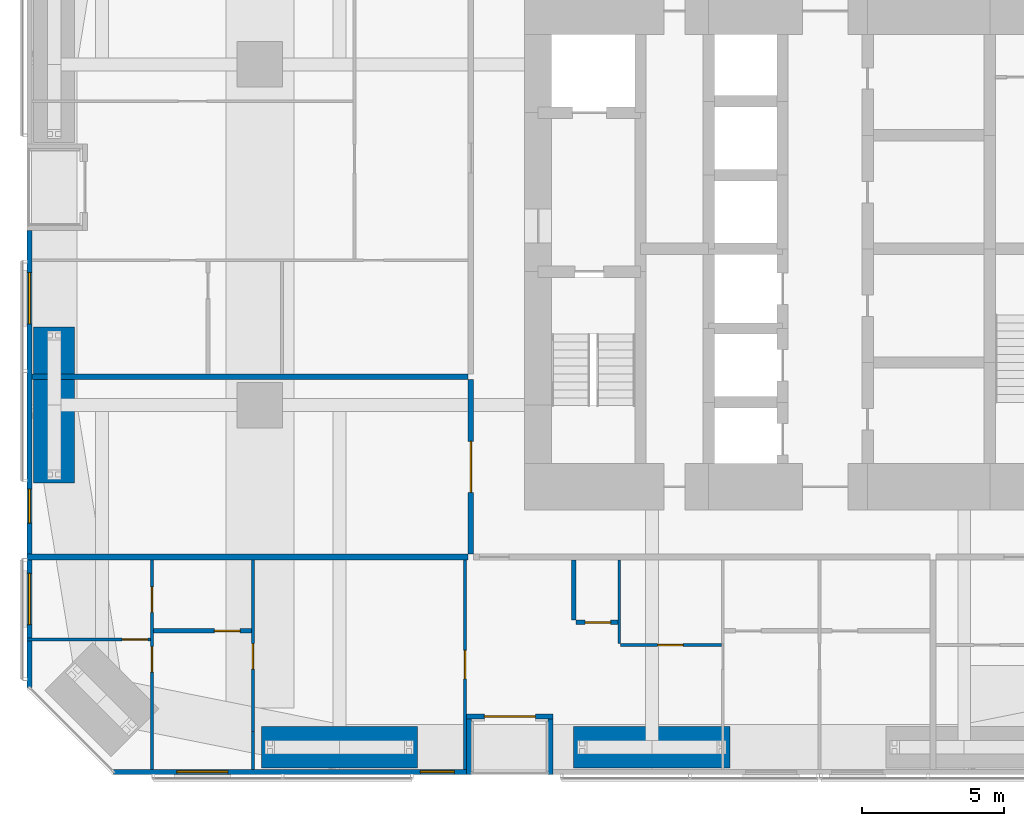
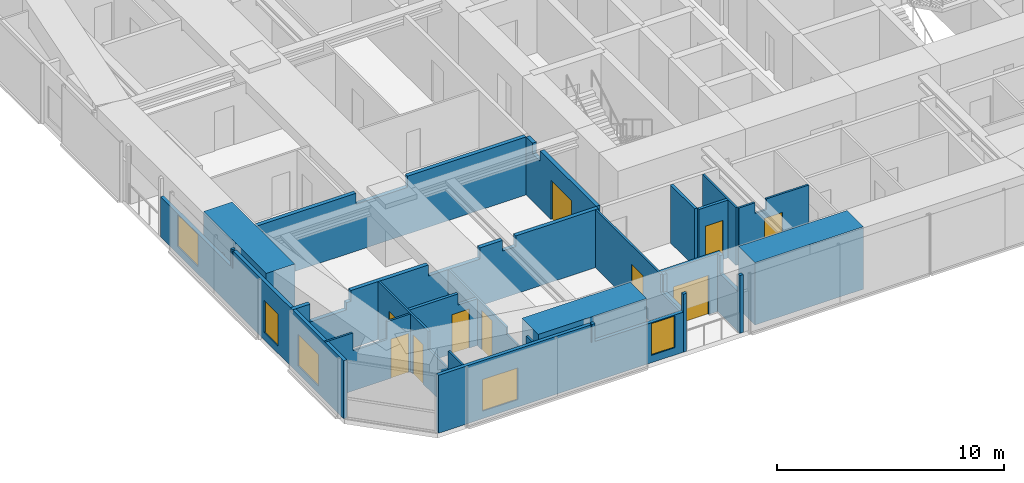
# One storey, part 15 of 22: 21 walls, 10 doors, 5 windows, 15 openings.
"""IFC4 building model written with IfcOpenShell, lengths in metres."""

from ifc_helpers import new_model, si_unit, direction, frame, frame_2d, origin, place, context, subcontext, project, spatial, polyline, rectangle, outline, extrude, material, layer, layer_set, constituent, constituent_set, type_object, element, fill, save


model = new_model("IFC4")

# Units and contexts
model_context = context("Model", 3, precision=1e-05, world=origin(), true_north=direction((0.0, 1.0)))
body_context = subcontext(model_context, "Body", "Model", "MODEL_VIEW")
ifc_project = project(units=[si_unit("LENGTHUNIT", "METRE"), si_unit("AREAUNIT", "SQUARE_METRE"), si_unit("VOLUMEUNIT", "CUBIC_METRE"), si_unit("PLANEANGLEUNIT", "RADIAN"), si_unit("MASSUNIT", "GRAM", prefix="KILO")], contexts=[model_context])

# Site, building, storey
site_placement = place(None, origin())
site = spatial("IfcSite", under=ifc_project, at=site_placement, CompositionType="ELEMENT")
building_placement = place(site_placement, origin())
building = spatial("IfcBuilding", under=site, at=building_placement, Name="Jalousie Tower", CompositionType="ELEMENT")
storey_placement = place(building_placement, frame((0.0, 0.0, 64.550048828125)))
storey = spatial("IfcBuildingStorey", under=building, at=storey_placement, Name="L17", CompositionType="ELEMENT", Elevation=64.550048828125)

# Wall, opening, door
ifc_material_1 = material(Name="Concrete block ASTM C90", Category="concrete")
ifc_constituent_1 = constituent(ifc_material_1, Name="Body")
ifc_material_2 = material(Name="Render")
ifc_constituent_2 = constituent(ifc_material_2, Name="Finish")
ifc_constituent_set_1 = constituent_set(constituents=[ifc_constituent_1, ifc_constituent_2])
wall_type_1 = type_object("IfcWallType", Name="BATHROOM WALL 150", PredefinedType="PLUMBINGWALL", material=ifc_constituent_set_1)
wall_1_placement = place(storey_placement, frame((6.449951171875, 5.050048828125, 0.0), z_axis=(0.0, 0.0, 1.0), x_axis=(1.0, 0.0, 0.0)))
wall_1 = element("IfcWall", 1, at=wall_1_placement, inside=storey, type_object=wall_type_1, Name="Bathroom Wall 150 L17", PredefinedType="PLUMBINGWALL", context=body_context, shape_type="SweptSolid", body=[
    extrude(outline(polyline([(0.0, 0.0), (3.449951171875, 0.0), (3.449951171875, 3.10986328125), (3.449951171875, 2.510009765625), (2.465087890625, 2.510009765625), (2.465087890625, 3.10986328125), (0.0, 3.10986328125), (0.0, 0.0)])), frame((0.0, 0.074951171875, 0.0), z_axis=(0.0, -1.0, 0.0), x_axis=(1.0, 0.0, 0.0)), (0.0, 0.0, 1.0), 0.14990234375),
])
opening_1_placement = place(wall_1_placement, frame((2.14990234375, 0.0, 0.0)))
opening_1 = element("IfcOpeningElement", 2, at=opening_1_placement, cuts=wall_1, Name="Opening D3", PredefinedType="OPENING", context=body_context, shape_type="SweptSolid", body=[
    extrude(rectangle(XDim=0.89990234375, YDim=2.10009765625, at=frame_2d((0.449951171875, 1.050048828125))), frame((0.0, 0.0849609375, 0.0), z_axis=(0.0, -1.0, 0.0), x_axis=(1.0, 0.0, 0.0)), (0.0, 0.0, 1.0), 0.169921875),
])
ifc_material_3 = material(Name="Timber door", Category="wood")
door_type_1 = type_object("IfcDoorType", Name="BATHROOM DOOR 900", OperationType="SINGLE_SWING_LEFT", PredefinedType="DOOR", material=ifc_material_3)
door_1_placement = place(opening_1_placement, origin())
door_1 = element("IfcDoor", 3, at=door_1_placement, inside=storey, type_object=door_type_1, Name="Apartment 1701 bedroom 2 bathroom door", OperationType="SINGLE_SWING_RIGHT", OverallHeight=2.10009765625, OverallWidth=0.89990234375, PredefinedType="DOOR", context=body_context, shape_type="SweptSolid", body=[
    extrude(rectangle(XDim=0.89990234375, YDim=2.10009765625, at=frame_2d((0.449951171875, 1.050048828125))), frame((0.0, 0.02490234375, 0.0), z_axis=(0.0, -1.0, 0.0), x_axis=(1.0, 0.0, 0.0)), (0.0, 0.0, 1.0), 0.050048828125),
])
fill(opening_1, door_1)

wall_2_placement = place(storey_placement, frame((21.324951171875, 5.35009765625, 0.0), z_axis=(0.0, 0.0, 1.0), x_axis=(1.0, 0.0, 0.0)))
wall_2 = element("IfcWall", 4, at=wall_2_placement, inside=storey, type_object=wall_type_1, Name="Bathroom Wall 150 L17", PredefinedType="PLUMBINGWALL", context=body_context, shape_type="SweptSolid", body=[
    extrude(rectangle(XDim=1.47509765625, YDim=0.14990234375, at=frame_2d((0.737548828125, 0.0))), origin(), (0.0, 0.0, 1.0), 3.10986328125),
])
opening_2_placement = place(wall_2_placement, frame((0.324951171875, 0.0, 0.0)))
opening_2 = element("IfcOpeningElement", 5, at=opening_2_placement, cuts=wall_2, Name="Opening D7", PredefinedType="OPENING", context=body_context, shape_type="SweptSolid", body=[
    extrude(rectangle(XDim=0.89990234375, YDim=2.10009765625, at=frame_2d((0.449951171875, 1.050048828125))), frame((0.0, 0.0849609375, 0.0), z_axis=(0.0, -1.0, 0.0), x_axis=(1.0, 0.0, 0.0)), (0.0, 0.0, 1.0), 0.169921875),
])
ifc_material_4 = material(Name="Timber door", Category="wood")
door_type_2 = type_object("IfcDoorType", Name="INTERNAL DOOR 900", OperationType="SINGLE_SWING_LEFT", PredefinedType="DOOR", material=ifc_material_4)
door_2_placement = place(opening_2_placement, origin())
door_2 = element("IfcDoor", 6, at=door_2_placement, inside=storey, type_object=door_type_2, Name="Apartment 1701 guest WC door", OperationType="SINGLE_SWING_RIGHT", OverallHeight=2.10009765625, OverallWidth=0.89990234375, PredefinedType="DOOR", context=body_context, shape_type="SweptSolid", body=[
    extrude(rectangle(XDim=0.89990234375, YDim=2.10009765625, at=frame_2d((0.449951171875, 1.050048828125))), frame((0.0, 0.02490234375, 0.0), z_axis=(0.0, -1.0, 0.0), x_axis=(1.0, 0.0, 0.0)), (0.0, 0.0, 1.0), 0.050048828125),
])
fill(opening_2, door_2)

# Wall
wall_3_placement = place(storey_placement, frame((21.25, 5.425048828125, 0.0), z_axis=(0.0, 0.0, 1.0), x_axis=(0.0, 1.0, 0.0)))
element("IfcWall", 7, at=wall_3_placement, inside=storey, type_object=wall_type_1, Name="Bathroom Wall 150 L17", PredefinedType="PLUMBINGWALL", context=body_context, shape_type="SweptSolid", body=[
    extrude(rectangle(XDim=2.125, YDim=0.14990234375, at=frame_2d((1.0625, 0.0))), origin(), (0.0, 0.0, 1.0), 3.10986328125),
])

# Wall, opening, door
ifc_material_5 = material(Name="Concrete block ASTM C90", Category="concrete")
ifc_constituent_3 = constituent(ifc_material_5, Name="Body")
ifc_material_6 = material(Name="Render")
ifc_constituent_4 = constituent(ifc_material_6, Name="Finish")
ifc_constituent_set_2 = constituent_set(constituents=[ifc_constituent_3, ifc_constituent_4])
wall_type_2 = type_object("IfcWallType", Name="CORRIDOR WALL 200", PredefinedType="PARTITIONING", material=ifc_constituent_set_2)
wall_4_placement = place(storey_placement, frame((17.625, 7.75, 0.0), z_axis=(0.0, 0.0, 1.0), x_axis=(0.0, 1.0, 0.0)))
wall_4 = element("IfcWall", 8, at=wall_4_placement, inside=storey, type_object=wall_type_2, Name="Corridor Wall 200 L17", PredefinedType="PARTITIONING", context=body_context, shape_type="SweptSolid", body=[
    extrude(outline(polyline([(0.0, 0.0), (6.14990234375, 0.0), (6.14990234375, 3.10986328125), (5.58740234375, 3.10986328125), (5.58740234375, 2.541015625), (4.91259765625, 2.541015625), (4.91259765625, 3.10986328125), (0.0, 3.10986328125), (0.0, 0.0)])), frame((0.0, 0.10009765625, 0.0), z_axis=(0.0, -1.0, 0.0), x_axis=(1.0, 0.0, 0.0)), (0.0, 0.0, 1.0), 0.199951171875),
])
opening_3_placement = place(wall_4_placement, frame((2.175048828125, 0.0, 0.0)))
opening_3 = element("IfcOpeningElement", 9, at=opening_3_placement, cuts=wall_4, Name="Opening D22", PredefinedType="OPENING", context=body_context, shape_type="SweptSolid", body=[
    extrude(rectangle(XDim=1.800048828125, YDim=2.10009765625, at=frame_2d((0.89990234375, 1.050048828125))), frame((0.0, 0.10986328125, 0.0), z_axis=(0.0, -1.0, 0.0), x_axis=(1.0, 0.0, 0.0)), (0.0, 0.0, 1.0), 0.219970703125),
])
ifc_material_7 = material(Name="Timber fire door", Category="wood")
door_type_3 = type_object("IfcDoorType", Name="CORRIDOR DOUBLE DOOR 1800", OperationType="DOUBLE_DOOR_SINGLE_SWING", PredefinedType="DOOR", material=ifc_material_7)
door_3_placement = place(opening_3_placement, origin())
door_3 = element("IfcDoor", 10, at=door_3_placement, inside=storey, type_object=door_type_3, Name="Residents' study door", OperationType="DOUBLE_DOOR_SINGLE_SWING", OverallHeight=2.10009765625, OverallWidth=1.800048828125, PredefinedType="DOOR", context=body_context, shape_type="SweptSolid", body=[
    extrude(rectangle(XDim=1.800048828125, YDim=2.10009765625, at=frame_2d((0.89990234375, 1.050048828125))), frame((0.0, 0.02490234375, 0.0), z_axis=(0.0, -1.0, 0.0), x_axis=(1.0, 0.0, 0.0)), (0.0, 0.0, 1.0), 0.050048828125),
])
fill(opening_3, door_3)

# Wall, openings, windows
ifc_material_8 = material(Name="Concrete f'c 40 MPa", Category="concrete")
ifc_constituent_5 = constituent(ifc_material_8, Name="Body")
ifc_material_9 = material(Name="Render, pastel coral")
ifc_constituent_6 = constituent(ifc_material_9, Name="Finish")
ifc_constituent_set_3 = constituent_set(constituents=[ifc_constituent_5, ifc_constituent_6])
wall_type_3 = type_object("IfcWallType", Name="EXTERNAL WALL 175 CORAL RENDER", PredefinedType="SOLIDWALL", material=ifc_constituent_set_3)
wall_5_placement = place(storey_placement, frame((5.05126953125, 0.08740234375, 0.0), z_axis=(0.0, 0.0, 1.0), x_axis=(1.0, 0.0, 0.0)))
wall_5 = element("IfcWall", 11, at=wall_5_placement, inside=storey, type_object=wall_type_3, Name="External Wall 175 Coral Render L17", PredefinedType="SOLIDWALL", context=body_context, shape_type="SweptSolid", body=[
    extrude(outline(polyline([(0.0, 0.0), (12.423828125, 0.0), (12.423583984375, 2.14990234375), (7.94873046875, 2.14990234375), (7.94873046875, 3.10986328125), (7.79296875, 3.10986328125), (7.79296875, 2.14990234375), (7.74462890625, 2.14990234375), (7.74462890625, 3.10986328125), (0.0, 3.10986328125), (0.0, 0.0)])), frame((0.0, 0.08740234375, 0.0), z_axis=(0.0, -1.0, 0.0), x_axis=(1.0, 0.0, 0.0)), (0.0, 0.0, 1.0), 0.175048828125),
])
opening_4_placement = place(wall_5_placement, frame((2.2236328125, 0.0, 0.39990234375)))
opening_4 = element("IfcOpeningElement", 12, at=opening_4_placement, cuts=wall_5, Name="Opening W-BED170", PredefinedType="OPENING", context=body_context, shape_type="SweptSolid", body=[
    extrude(rectangle(XDim=1.800048828125, YDim=1.699951171875, at=frame_2d((0.89990234375, 0.85009765625))), frame((0.0, 0.097412109375, 0.0), z_axis=(0.0, -1.0, 0.0), x_axis=(1.0, 0.0, 0.0)), (0.0, 0.0, 1.0), 0.195068359375),
])
opening_5_placement = place(wall_5_placement, frame((10.798583984375, 0.0, 0.39990234375)))
opening_5 = element("IfcOpeningElement", 13, at=opening_5_placement, cuts=wall_5, Name="Opening W-COR170", PredefinedType="OPENING", context=body_context, shape_type="SweptSolid", body=[
    extrude(rectangle(XDim=1.199951171875, YDim=1.699951171875, at=frame_2d((0.60009765625, 0.85009765625))), frame((0.0, 0.097412109375, 0.0), z_axis=(0.0, -1.0, 0.0), x_axis=(1.0, 0.0, 0.0)), (0.0, 0.0, 1.0), 0.195068359375),
])
ifc_material_10 = material(Name="Aluminium frame, impact-rated glazing", Category="aluminium")
window_type_1 = type_object("IfcWindowType", Name="WINDOW BED 1800x1700", PartitioningType="SINGLE_PANEL", PredefinedType="WINDOW", material=ifc_material_10)
window_1_placement = place(opening_4_placement, origin())
window_1 = element("IfcWindow", 14, at=window_1_placement, inside=storey, type_object=window_type_1, Name="Apartment 1701 bedroom 2 window", OverallHeight=1.699951171875, OverallWidth=1.800048828125, PartitioningType="SINGLE_PANEL", PredefinedType="WINDOW", context=body_context, shape_type="SweptSolid", body=[
    extrude(rectangle(XDim=1.800048828125, YDim=1.699951171875, at=frame_2d((0.89990234375, 0.85009765625))), frame((0.0, 0.030029296875, 0.0), z_axis=(0.0, -1.0, 0.0), x_axis=(1.0, 0.0, 0.0)), (0.0, 0.0, 1.0), 0.06005859375),
])
fill(opening_4, window_1)
ifc_material_11 = material(Name="Aluminium frame, impact-rated glazing", Category="aluminium")
window_type_2 = type_object("IfcWindowType", Name="WINDOW COR 1200x1700", PartitioningType="SINGLE_PANEL", PredefinedType="WINDOW", material=ifc_material_11)
window_2_placement = place(opening_5_placement, origin())
window_2 = element("IfcWindow", 15, at=window_2_placement, inside=storey, type_object=window_type_2, Name="Apartment 1701 dining room window", OverallHeight=1.699951171875, OverallWidth=1.199951171875, PartitioningType="SINGLE_PANEL", PredefinedType="WINDOW", context=body_context, shape_type="SweptSolid", body=[
    extrude(rectangle(XDim=1.199951171875, YDim=1.699951171875, at=frame_2d((0.60009765625, 0.85009765625))), frame((0.0, 0.030029296875, 0.0), z_axis=(0.0, -1.0, 0.0), x_axis=(1.0, 0.0, 0.0)), (0.0, 0.0, 1.0), 0.06005859375),
])
fill(opening_5, window_2)

# Wall, opening, door
wall_6_placement = place(storey_placement, frame((17.47509765625, 2.03759765625, 0.0), z_axis=(0.0, 0.0, 1.0), x_axis=(1.0, 0.0, 0.0)))
wall_6 = element("IfcWall", 16, at=wall_6_placement, inside=storey, type_object=wall_type_3, Name="External Wall 175 Coral Render L17", PredefinedType="SOLIDWALL", context=body_context, shape_type="SweptSolid", body=[
    extrude(rectangle(XDim=3.0498046875, YDim=0.175048828125, at=frame_2d((1.52490234375, 0.0))), origin(), (0.0, 0.0, 1.0), 3.10986328125),
])
opening_6_placement = place(wall_6_placement, frame((0.625, 0.0, 0.0)))
opening_6 = element("IfcOpeningElement", 17, at=opening_6_placement, cuts=wall_6, Name="Opening D-BAL21", PredefinedType="OPENING", context=body_context, shape_type="SweptSolid", body=[
    extrude(rectangle(XDim=1.800048828125, YDim=2.10009765625, at=frame_2d((0.89990234375, 1.050048828125))), frame((0.0, 0.097412109375, 0.0), z_axis=(0.0, -1.0, 0.0), x_axis=(1.0, 0.0, 0.0)), (0.0, 0.0, 1.0), 0.195068359375),
])
ifc_material_12 = material(Name="Aluminium frame, impact-rated glazing", Category="aluminium")
door_type_4 = type_object("IfcDoorType", Name="BALCONY DOOR 1800x2100", OperationType="SLIDING_TO_LEFT", PredefinedType="DOOR", material=ifc_material_12)
door_4_placement = place(opening_6_placement, origin())
door_4 = element("IfcDoor", 18, at=door_4_placement, inside=storey, type_object=door_type_4, Name="Apartment 1701 living room loggia door", OperationType="SLIDING_TO_LEFT", OverallHeight=2.10009765625, OverallWidth=1.800048828125, PredefinedType="DOOR", context=body_context, shape_type="SweptSolid", body=[
    extrude(rectangle(XDim=1.800048828125, YDim=2.10009765625, at=frame_2d((0.89990234375, 1.050048828125))), frame((0.0, 0.02490234375, 0.0), z_axis=(0.0, -1.0, 0.0), x_axis=(1.0, 0.0, 0.0)), (0.0, 0.0, 1.0), 0.050048828125),
])
fill(opening_6, door_4)

# Walls
for number, where, z_axis, x_axis, name in (
    (19, (17.5625, 0.0, 0.0), (0.0, 0.0, 1.0), (0.0, 1.0, 0.0), "External Wall 175 Coral Render L17"),
    (20, (20.4375, 0.0, 0.0), (0.0, 0.0, 1.0), (0.0, 1.0, 0.0), "External Wall 175 Coral Render L17"),
):
    element("IfcWall", number, at=place(storey_placement, frame(where, z_axis=z_axis, x_axis=x_axis)), inside=storey, type_object=wall_type_3, Name=name, PredefinedType="SOLIDWALL", context=body_context, shape_type="SweptSolid", body=[
        extrude(outline(polyline([(0.0, 0.0), (1.949951171875, 0.0), (1.949951171875, 3.10986328125), (1.75, 3.10986328125), (1.75, 2.14990234375), (0.14990234375, 2.14990234375), (0.14990234375, 3.10986328125), (0.0, 3.10986328125), (0.0, 0.0)])), frame((0.0, 0.08740234375, 0.0), z_axis=(0.0, -1.0, 0.0), x_axis=(1.0, 0.0, 0.0)), (0.0, 0.0, 1.0), 0.175048828125),
    ])

# Wall, openings, windows
wall_7_placement = place(storey_placement, frame((2.08740234375, 19.14990234375, 0.0), z_axis=(0.0, 0.0, 1.0), x_axis=(0.0, -1.0, 0.0)))
wall_7 = element("IfcWall", 21, at=wall_7_placement, inside=storey, type_object=wall_type_3, Name="External Wall 175 Coral Render L17", PredefinedType="SOLIDWALL", context=body_context, shape_type="SweptSolid", body=[
    extrude(outline(polyline([(0.0, 0.0), (16.0986328125, 0.0), (16.0986328125, 3.10986328125), (6.36865234375, 3.10986328125), (6.36865234375, 2.14990234375), (6.275634765625, 2.14990234375), (6.275634765625, 3.10986328125), (6.14990234375, 3.10986328125), (6.14990234375, 2.14990234375), (0.0, 2.14990234375), (0.0, 0.0)])), frame((0.0, 0.08740234375, 0.0), z_axis=(0.0, -1.0, 0.0), x_axis=(1.0, 0.0, 0.0)), (0.0, 0.0, 1.0), 0.175048828125),
])
opening_7_placement = place(wall_7_placement, frame((1.487548828125, 0.0, 0.39990234375)))
opening_7 = element("IfcOpeningElement", 22, at=opening_7_placement, cuts=wall_7, Name="Opening W-BED170", PredefinedType="OPENING", context=body_context, shape_type="SweptSolid", body=[
    extrude(rectangle(XDim=1.800048828125, YDim=1.699951171875, at=frame_2d((0.89990234375, 0.85009765625))), frame((0.0, 0.097412109375, 0.0), z_axis=(0.0, -1.0, 0.0), x_axis=(1.0, 0.0, 0.0)), (0.0, 0.0, 1.0), 0.195068359375),
])
opening_8_placement = place(wall_7_placement, frame((9.106201171875, 0.0, 0.39990234375)))
opening_8 = element("IfcOpeningElement", 23, at=opening_8_placement, cuts=wall_7, Name="Opening W-COR170", PredefinedType="OPENING", context=body_context, shape_type="SweptSolid", body=[
    extrude(rectangle(XDim=1.199951171875, YDim=1.699951171875, at=frame_2d((0.60009765625, 0.85009765625))), frame((0.0, 0.097412109375, 0.0), z_axis=(0.0, -1.0, 0.0), x_axis=(1.0, 0.0, 0.0)), (0.0, 0.0, 1.0), 0.195068359375),
])
opening_9_placement = place(wall_7_placement, frame((12.07666015625, 0.0, 0.39990234375)))
opening_9 = element("IfcOpeningElement", 24, at=opening_9_placement, cuts=wall_7, Name="Opening W-BED170", PredefinedType="OPENING", context=body_context, shape_type="SweptSolid", body=[
    extrude(rectangle(XDim=1.800048828125, YDim=1.699951171875, at=frame_2d((0.89990234375, 0.85009765625))), frame((0.0, 0.097412109375, 0.0), z_axis=(0.0, -1.0, 0.0), x_axis=(1.0, 0.0, 0.0)), (0.0, 0.0, 1.0), 0.195068359375),
])
window_3_placement = place(opening_7_placement, origin())
window_3 = element("IfcWindow", 25, at=window_3_placement, inside=storey, type_object=window_type_1, Name="Apartment 1705 bedroom 1 window", OverallHeight=1.699951171875, OverallWidth=1.800048828125, PartitioningType="SINGLE_PANEL", PredefinedType="WINDOW", context=body_context, shape_type="SweptSolid", body=[
    extrude(rectangle(XDim=1.800048828125, YDim=1.699951171875, at=frame_2d((0.89990234375, 0.85009765625))), frame((0.0, 0.030029296875, 0.0), z_axis=(0.0, -1.0, 0.0), x_axis=(1.0, 0.0, 0.0)), (0.0, 0.0, 1.0), 0.06005859375),
])
fill(opening_7, window_3)
window_4_placement = place(opening_9_placement, origin())
window_4 = element("IfcWindow", 26, at=window_4_placement, inside=storey, type_object=window_type_1, Name="Apartment 1701 bedroom 1 window", OverallHeight=1.699951171875, OverallWidth=1.800048828125, PartitioningType="SINGLE_PANEL", PredefinedType="WINDOW", context=body_context, shape_type="SweptSolid", body=[
    extrude(rectangle(XDim=1.800048828125, YDim=1.699951171875, at=frame_2d((0.89990234375, 0.85009765625))), frame((0.0, 0.030029296875, 0.0), z_axis=(0.0, -1.0, 0.0), x_axis=(1.0, 0.0, 0.0)), (0.0, 0.0, 1.0), 0.06005859375),
])
fill(opening_9, window_4)
window_5_placement = place(opening_8_placement, origin())
window_5 = element("IfcWindow", 27, at=window_5_placement, inside=storey, type_object=window_type_2, Name="Residents' study window", OverallHeight=1.699951171875, OverallWidth=1.199951171875, PartitioningType="SINGLE_PANEL", PredefinedType="WINDOW", context=body_context, shape_type="SweptSolid", body=[
    extrude(rectangle(XDim=1.199951171875, YDim=1.699951171875, at=frame_2d((0.60009765625, 0.85009765625))), frame((0.0, 0.030029296875, 0.0), z_axis=(0.0, -1.0, 0.0), x_axis=(1.0, 0.0, 0.0)), (0.0, 0.0, 1.0), 0.06005859375),
])
fill(opening_8, window_5)

# Wall, openings, doors
ifc_material_13 = material(Name="Gypsum board", Category="gypsum")
ifc_constituent_7 = constituent(ifc_material_13, Name="Body")
ifc_material_14 = material(Name="Light-gauge steel studs ASTM A653 SS Grade 33", Category="steel")
ifc_constituent_8 = constituent(ifc_material_14, Name="Framing")
ifc_constituent_set_4 = constituent_set(constituents=[ifc_constituent_7, ifc_constituent_8])
wall_type_4 = type_object("IfcWallType", Name="PARTITION 100", PredefinedType="PARTITIONING", material=ifc_constituent_set_4)
wall_8_placement = place(storey_placement, frame((6.39990234375, 0.175048828125, 0.0), z_axis=(0.0, 0.0, 1.0), x_axis=(0.0, 1.0, 0.0)))
wall_8 = element("IfcWall", 28, at=wall_8_placement, inside=storey, type_object=wall_type_4, Name="Partition 100 L17", PredefinedType="PARTITIONING", context=body_context, shape_type="SweptSolid", body=[
    extrude(outline(polyline([(0.0, 0.0), (7.375, 0.0), (7.375, 3.10986328125), (2.978271484375, 3.10986328125), (2.978271484375, 2.14990234375), (1.223876953125, 2.14990234375), (1.223876953125, 3.10986328125), (0.0, 3.10986328125), (0.0, 0.0)])), frame((0.0, 0.050048828125, 0.0), z_axis=(0.0, -1.0, 0.0), x_axis=(1.0, 0.0, 0.0)), (0.0, 0.0, 1.0), 0.10009765625),
])
opening_10_placement = place(wall_8_placement, frame((3.421630859375, 0.0, 0.0)))
opening_10 = element("IfcOpeningElement", 29, at=opening_10_placement, cuts=wall_8, Name="Opening D2", PredefinedType="OPENING", context=body_context, shape_type="SweptSolid", body=[
    extrude(rectangle(XDim=0.89990234375, YDim=2.10009765625, at=frame_2d((0.449951171875, 1.050048828125))), frame((0.0, 0.06005859375, 0.0), z_axis=(0.0, -1.0, 0.0), x_axis=(1.0, 0.0, 0.0)), (0.0, 0.0, 1.0), 0.1201171875),
])
opening_11_placement = place(wall_8_placement, frame((5.523193359375, 0.0, 0.0)))
opening_11 = element("IfcOpeningElement", 30, at=opening_11_placement, cuts=wall_8, Name="Opening D3", PredefinedType="OPENING", context=body_context, shape_type="SweptSolid", body=[
    extrude(rectangle(XDim=0.89990234375, YDim=2.10009765625, at=frame_2d((0.449951171875, 1.050048828125))), frame((0.0, 0.06005859375, 0.0), z_axis=(0.0, -1.0, 0.0), x_axis=(1.0, 0.0, 0.0)), (0.0, 0.0, 1.0), 0.1201171875),
])
door_5_placement = place(opening_11_placement, frame((0.89990234375, 0.0, 0.0), z_axis=(0.0, 0.0, 1.0), x_axis=(-1.0, 0.0, 0.0)))
door_5 = element("IfcDoor", 31, at=door_5_placement, inside=storey, type_object=door_type_1, Name="Apartment 1701 bedroom 1 bathroom door", OperationType="SINGLE_SWING_RIGHT", OverallHeight=2.10009765625, OverallWidth=0.89990234375, PredefinedType="DOOR", context=body_context, shape_type="SweptSolid", body=[
    extrude(rectangle(XDim=0.89990234375, YDim=2.10009765625, at=frame_2d((0.449951171875, 1.050048828125))), frame((0.0, 0.02490234375, 0.0), z_axis=(0.0, -1.0, 0.0), x_axis=(1.0, 0.0, 0.0)), (0.0, 0.0, 1.0), 0.050048828125),
])
fill(opening_11, door_5)
ifc_material_15 = material(Name="Timber door", Category="wood")
door_type_5 = type_object("IfcDoorType", Name="BEDROOM DOOR 900", OperationType="SINGLE_SWING_LEFT", PredefinedType="DOOR", material=ifc_material_15)
door_6_placement = place(opening_10_placement, frame((0.89990234375, 0.0, 0.0), z_axis=(0.0, 0.0, 1.0), x_axis=(-1.0, 0.0, 0.0)))
door_6 = element("IfcDoor", 32, at=door_6_placement, inside=storey, type_object=door_type_5, Name="Apartment 1701 bedroom 1 door", OperationType="SINGLE_SWING_LEFT", OverallHeight=2.10009765625, OverallWidth=0.89990234375, PredefinedType="DOOR", context=body_context, shape_type="SweptSolid", body=[
    extrude(rectangle(XDim=0.89990234375, YDim=2.10009765625, at=frame_2d((0.449951171875, 1.050048828125))), frame((0.0, 0.02490234375, 0.0), z_axis=(0.0, -1.0, 0.0), x_axis=(1.0, 0.0, 0.0)), (0.0, 0.0, 1.0), 0.050048828125),
])
fill(opening_10, door_6)

# Wall
wall_9_placement = place(storey_placement, frame((9.949951171875, 0.175048828125, 0.0), z_axis=(0.0, 0.0, 1.0), x_axis=(0.0, 1.0, 0.0)))
element("IfcWall", 33, at=wall_9_placement, inside=storey, type_object=wall_type_4, Name="Partition 100 L17-A", PredefinedType="PARTITIONING", context=body_context, shape_type="SweptSolid", body=[
    extrude(outline(polyline([(0.0, 0.0), (1.337646484375, 0.0), (1.337646484375, 2.14990234375), (0.510498046875, 2.14990234375), (0.510498046875, 3.10986328125), (0.0, 3.10986328125), (0.0, 0.0)])), frame((0.0, 0.050048828125, 0.0), z_axis=(0.0, -1.0, 0.0), x_axis=(1.0, 0.0, 0.0)), (0.0, 0.0, 1.0), 0.10009765625),
])

# Wall, opening, door
wall_10_placement = place(storey_placement, frame((9.949951171875, 1.5126953125, 0.0), z_axis=(0.0, 0.0, 1.0), x_axis=(0.0, 1.0, 0.0)))
wall_10 = element("IfcWall", 34, at=wall_10_placement, inside=storey, type_object=wall_type_4, Name="Partition 100 L17-B", PredefinedType="PARTITIONING", context=body_context, shape_type="SweptSolid", body=[
    extrude(outline(polyline([(0.0, 0.0), (6.037353515625, 0.0), (6.037353515625, 2.510009765625), (0.927490234375, 2.510009765625), (0.927490234375, 2.14990234375), (0.0, 2.14990234375), (0.0, 0.0)])), frame((0.0, 0.050048828125, 0.0), z_axis=(0.0, -1.0, 0.0), x_axis=(1.0, 0.0, 0.0)), (0.0, 0.0, 1.0), 0.10009765625),
])
opening_12_placement = place(wall_10_placement, frame((2.1875, 0.0, 0.0)))
opening_12 = element("IfcOpeningElement", 35, at=opening_12_placement, cuts=wall_10, Name="Opening D2", PredefinedType="OPENING", context=body_context, shape_type="SweptSolid", body=[
    extrude(rectangle(XDim=0.89990234375, YDim=2.10009765625, at=frame_2d((0.449951171875, 1.050048828125))), frame((0.0, 0.06005859375, 0.0), z_axis=(0.0, -1.0, 0.0), x_axis=(1.0, 0.0, 0.0)), (0.0, 0.0, 1.0), 0.1201171875),
])
door_7_placement = place(opening_12_placement, origin())
door_7 = element("IfcDoor", 36, at=door_7_placement, inside=storey, type_object=door_type_5, Name="Apartment 1701 bedroom 2 door", OperationType="SINGLE_SWING_RIGHT", OverallHeight=2.10009765625, OverallWidth=0.89990234375, PredefinedType="DOOR", context=body_context, shape_type="SweptSolid", body=[
    extrude(rectangle(XDim=0.89990234375, YDim=2.10009765625, at=frame_2d((0.449951171875, 1.050048828125))), frame((0.0, 0.02490234375, 0.0), z_axis=(0.0, -1.0, 0.0), x_axis=(1.0, 0.0, 0.0)), (0.0, 0.0, 1.0), 0.050048828125),
])
fill(opening_12, door_7)

wall_11_placement = place(storey_placement, frame((2.0, 4.74658203125, 0.0), z_axis=(0.0, 0.0, 1.0), x_axis=(1.0, 0.0, 0.0)))
wall_11 = element("IfcWall", 37, at=wall_11_placement, inside=storey, type_object=wall_type_4, Name="Partition 100 L17", PredefinedType="PARTITIONING", context=body_context, shape_type="SweptSolid", body=[
    extrude(outline(polyline([(0.0, 0.0), (4.35009765625, 0.0), (4.35009765625, 3.10986328125), (3.15966796875, 3.10986328125), (3.15966796875, 2.14990234375), (1.4169921875, 2.14990234375), (1.4169921875, 3.10986328125), (0.0, 3.10986328125), (0.0, 0.0)])), frame((0.0, 0.050048828125, 0.0), z_axis=(0.0, -1.0, 0.0), x_axis=(1.0, 0.0, 0.0)), (0.0, 0.0, 1.0), 0.10009765625),
])
opening_13_placement = place(wall_11_placement, frame((3.35009765625, 0.0, 0.0)))
opening_13 = element("IfcOpeningElement", 38, at=opening_13_placement, cuts=wall_11, Name="Opening D7", PredefinedType="OPENING", context=body_context, shape_type="SweptSolid", body=[
    extrude(rectangle(XDim=0.89990234375, YDim=2.10009765625, at=frame_2d((0.449951171875, 1.050048828125))), frame((0.0, 0.06005859375, 0.0), z_axis=(0.0, -1.0, 0.0), x_axis=(1.0, 0.0, 0.0)), (0.0, 0.0, 1.0), 0.1201171875),
])
door_8_placement = place(opening_13_placement, origin())
door_8 = element("IfcDoor", 39, at=door_8_placement, inside=storey, type_object=door_type_2, Name="Apartment 1701 bedroom 1 dressing hall door", OperationType="SINGLE_SWING_RIGHT", OverallHeight=2.10009765625, OverallWidth=0.89990234375, PredefinedType="DOOR", context=body_context, shape_type="SweptSolid", body=[
    extrude(rectangle(XDim=0.89990234375, YDim=2.10009765625, at=frame_2d((0.449951171875, 1.050048828125))), frame((0.0, 0.02490234375, 0.0), z_axis=(0.0, -1.0, 0.0), x_axis=(1.0, 0.0, 0.0)), (0.0, 0.0, 1.0), 0.050048828125),
])
fill(opening_13, door_8)

wall_12_placement = place(storey_placement, frame((22.89990234375, 4.550048828125, 0.0), z_axis=(0.0, 0.0, 1.0), x_axis=(1.0, 0.0, 0.0)))
wall_12 = element("IfcWall", 40, at=wall_12_placement, inside=storey, type_object=wall_type_4, Name="Partition 100 L17", PredefinedType="PARTITIONING", context=body_context, shape_type="SweptSolid", body=[
    extrude(outline(polyline([(0.0, 0.0), (3.550048828125, 0.0), (3.550048828125, 3.10986328125), (1.38720703125, 3.10986328125), (1.38720703125, 2.541015625), (0.8125, 2.541015625), (0.8125, 3.10986328125), (0.0, 3.10986328125), (0.0, 0.0)])), frame((0.0, 0.050048828125, 0.0), z_axis=(0.0, -1.0, 0.0), x_axis=(1.0, 0.0, 0.0)), (0.0, 0.0, 1.0), 0.10009765625),
])
opening_14_placement = place(wall_12_placement, frame((1.300048828125, 0.0, 0.0)))
opening_14 = element("IfcOpeningElement", 41, at=opening_14_placement, cuts=wall_12, Name="Opening D7", PredefinedType="OPENING", context=body_context, shape_type="SweptSolid", body=[
    extrude(rectangle(XDim=0.89990234375, YDim=2.10009765625, at=frame_2d((0.449951171875, 1.050048828125))), frame((0.0, 0.06005859375, 0.0), z_axis=(0.0, -1.0, 0.0), x_axis=(1.0, 0.0, 0.0)), (0.0, 0.0, 1.0), 0.1201171875),
])
door_9_placement = place(opening_14_placement, origin())
door_9 = element("IfcDoor", 42, at=door_9_placement, inside=storey, type_object=door_type_2, Name="Apartment 1701 kitchen door", OperationType="SINGLE_SWING_LEFT", OverallHeight=2.10009765625, OverallWidth=0.89990234375, PredefinedType="DOOR", context=body_context, shape_type="SweptSolid", body=[
    extrude(rectangle(XDim=0.89990234375, YDim=2.10009765625, at=frame_2d((0.449951171875, 1.050048828125))), frame((0.0, 0.02490234375, 0.0), z_axis=(0.0, -1.0, 0.0), x_axis=(1.0, 0.0, 0.0)), (0.0, 0.0, 1.0), 0.050048828125),
])
fill(opening_14, door_9)

# Wall
wall_13_placement = place(storey_placement, frame((22.85009765625, 4.60009765625, 0.0), z_axis=(0.0, 0.0, 1.0), x_axis=(0.0, 1.0, 0.0)))
element("IfcWall", 43, at=wall_13_placement, inside=storey, type_object=wall_type_4, Name="Partition 100 L17", PredefinedType="PARTITIONING", context=body_context, shape_type="SweptSolid", body=[
    extrude(rectangle(XDim=2.949951171875, YDim=0.10009765625, at=frame_2d((1.47509765625, 0.0))), origin(), (0.0, 0.0, 1.0), 3.10986328125),
])

# Wall, opening, door
wall_14_placement = place(storey_placement, frame((17.425048828125, 0.175048828125, 0.0), z_axis=(0.0, 0.0, 1.0), x_axis=(0.0, 1.0, 0.0)))
wall_14 = element("IfcWall", 44, at=wall_14_placement, inside=storey, type_object=wall_type_4, Name="Partition 100 L17", PredefinedType="PARTITIONING", context=body_context, shape_type="SweptSolid", body=[
    extrude(outline(polyline([(0.0, 0.0), (7.375, 0.0), (7.375, 3.10986328125), (1.635009765625, 3.10986328125), (1.635009765625, 2.14990234375), (0.0, 2.14990234375), (0.0, 3.10986328125), (0.0, 0.0)])), frame((0.0, 0.050048828125, 0.0), z_axis=(0.0, -1.0, 0.0), x_axis=(1.0, 0.0, 0.0)), (0.0, 0.0, 1.0), 0.10009765625),
])
opening_15_placement = place(wall_14_placement, frame((3.1875, 0.0, 0.0)))
opening_15 = element("IfcOpeningElement", 45, at=opening_15_placement, cuts=wall_14, Name="Opening D6", PredefinedType="OPENING", context=body_context, shape_type="SweptSolid", body=[
    extrude(rectangle(XDim=1.0, YDim=2.10009765625, at=frame_2d((0.5, 1.050048828125))), frame((0.0, 0.06005859375, 0.0), z_axis=(0.0, -1.0, 0.0), x_axis=(1.0, 0.0, 0.0)), (0.0, 0.0, 1.0), 0.1201171875),
])
ifc_material_16 = material(Name="Timber door", Category="wood")
door_type_6 = type_object("IfcDoorType", Name="INTERNAL DOOR 1000", OperationType="SINGLE_SWING_LEFT", PredefinedType="DOOR", material=ifc_material_16)
door_10_placement = place(opening_15_placement, origin())
door_10 = element("IfcDoor", 46, at=door_10_placement, inside=storey, type_object=door_type_6, Name="Apartment 1701 dining room door", OperationType="SINGLE_SWING_LEFT", OverallHeight=2.10009765625, OverallWidth=1.0, PredefinedType="DOOR", context=body_context, shape_type="SweptSolid", body=[
    extrude(rectangle(XDim=1.0, YDim=2.10009765625, at=frame_2d((0.5, 1.050048828125))), frame((0.0, 0.02490234375, 0.0), z_axis=(0.0, -1.0, 0.0), x_axis=(1.0, 0.0, 0.0)), (0.0, 0.0, 1.0), 0.050048828125),
])
fill(opening_15, door_10)

# Walls
ifc_material_17 = material(Name="Concrete block ASTM C90", Category="concrete")
ifc_constituent_9 = constituent(ifc_material_17, Name="Body")
ifc_material_18 = material(Name="Render")
ifc_constituent_10 = constituent(ifc_material_18, Name="Finish")
ifc_constituent_set_5 = constituent_set(constituents=[ifc_constituent_9, ifc_constituent_10])
wall_type_5 = type_object("IfcWallType", Name="PARTY WALL 200", PredefinedType="PARTITIONING", material=ifc_constituent_set_5)
wall_15_placement = place(storey_placement, frame((2.0, 7.64990234375, 0.0), z_axis=(0.0, 0.0, 1.0), x_axis=(1.0, 0.0, 0.0)))
element("IfcWall", 47, at=wall_15_placement, inside=storey, type_object=wall_type_5, Name="Party Wall 200 L17", PredefinedType="PARTITIONING", context=body_context, shape_type="SweptSolid", body=[
    extrude(outline(polyline([(0.0, 0.0), (15.52490234375, 0.0), (15.52490234375, 3.10986328125), (11.33740234375, 3.10986328125), (11.33740234375, 2.541015625), (10.66259765625, 2.541015625), (10.66259765625, 3.10986328125), (9.510009765625, 3.10986328125), (9.510009765625, 2.510009765625), (6.889892578125, 2.510009765625), (6.889892578125, 3.10986328125), (2.96875, 3.10986328125), (2.96875, 2.541015625), (2.739501953125, 2.541015625), (2.739501953125, 2.14990234375), (0.895751953125, 2.14990234375), (0.895751953125, 3.10986328125), (0.0, 3.10986328125), (0.0, 0.0)])), frame((0.0, 0.10009765625, 0.0), z_axis=(0.0, -1.0, 0.0), x_axis=(1.0, 0.0, 0.0)), (0.0, 0.0, 1.0), 0.199951171875),
])
wall_16_placement = place(storey_placement, frame((2.175048828125, 14.0, 0.0), z_axis=(0.0, 0.0, 1.0), x_axis=(1.0, 0.0, 0.0)))
element("IfcWall", 48, at=wall_16_placement, inside=storey, type_object=wall_type_5, Name="Party Wall 200 L17", PredefinedType="PARTITIONING", context=body_context, shape_type="SweptSolid", body=[
    extrude(outline(polyline([(0.52880859375, 2.14990234375), (0.0, 2.14990234375), (0.0, 0.0), (0.52880859375, 0.0), (0.52880859375, 0.8203125), (1.021240234375, 0.8203125), (1.021240234375, 0.0), (15.35009765625, 0.0), (15.35009765625, 3.10986328125), (9.3349609375, 3.10986328125), (9.3349609375, 2.510009765625), (6.715087890625, 2.510009765625), (6.715087890625, 3.10986328125), (1.68505859375, 3.10986328125), (1.68505859375, 2.14990234375), (1.021240234375, 2.14990234375), (1.021240234375, 1.32958984375), (0.52880859375, 1.32958984375), (0.52880859375, 2.14990234375)])), frame((0.0, 0.10009765625, 0.0), z_axis=(0.0, -1.0, 0.0), x_axis=(1.0, 0.0, 0.0)), (0.0, 0.0, 1.0), 0.199951171875),
])
ifc_material_19 = material(Name="Concrete f'c 120 MPa", Category="concrete")
ifc_layer = layer(ifc_material_19, 1.449951171875)
ifc_layer_set = layer_set([ifc_layer], Name="Concrete f'c 120 MPa")
wall_type_6 = type_object("IfcWallType", Name="RC WALL PIER 1450", PredefinedType="SHEAR", material=ifc_layer_set)
for number, where, z_axis, x_axis, name in (
    (49, (10.25, 0.949951171875, 0.0), (0.0, 0.0, 1.0), (1.0, 0.0, 0.0), "Wall pier 02 L17"),
    (50, (21.25, 0.949951171875, 0.0), (0.0, 0.0, 1.0), (1.0, 0.0, 0.0), "Wall pier 03 L17"),
    (51, (2.949951171875, 10.25, 0.0), (0.0, 0.0, 1.0), (0.0, 1.0, 0.0), "Wall pier 14 L17"),
):
    element("IfcWall", number, at=place(storey_placement, frame(where, z_axis=z_axis, x_axis=x_axis)), inside=storey, type_object=wall_type_6, Name=name, PredefinedType="SHEAR", context=body_context, shape_type="SweptSolid", body=[
        extrude(rectangle(XDim=5.5, YDim=1.449951171875, at=frame_2d((2.75, 0.0))), origin(), (0.0, 0.0, 1.0), 3.349853515625),
    ])

save(model, "model.ifc")
